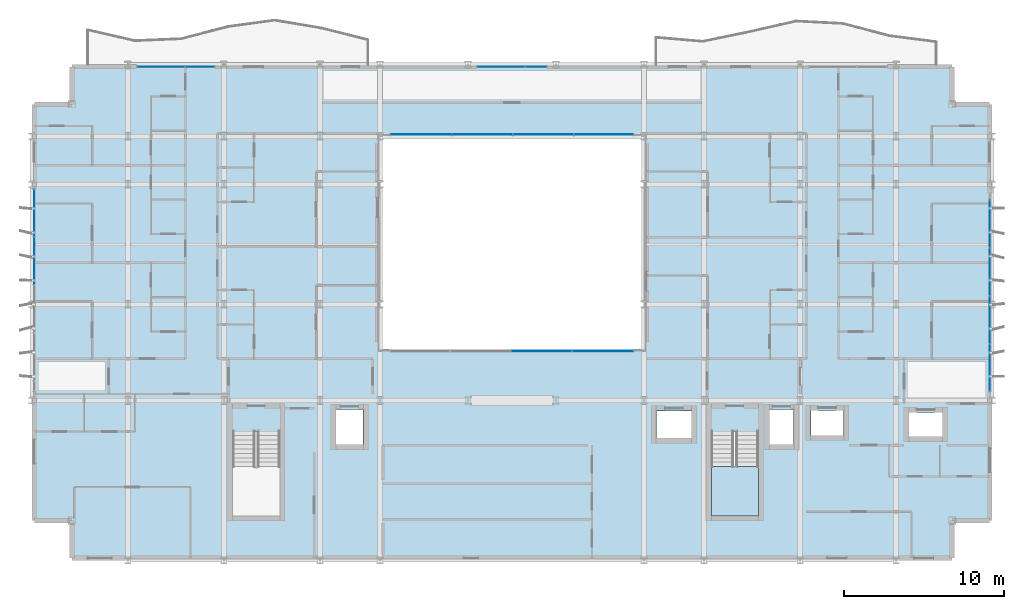
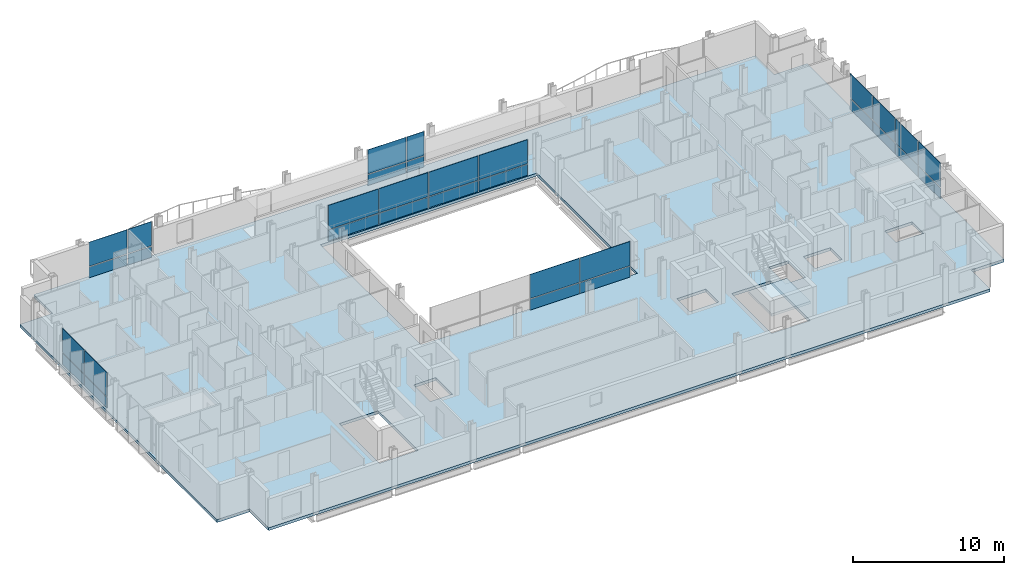
# One storey, part 23 of 39: 32 plates, 2 slabs, 7 elements without a shape of their own.
"""IFC4 building model written with IfcOpenShell, lengths in metres."""

from ifc_helpers import new_model, si_unit, direction, frame, origin, origin_2d, place, context, subcontext, project, spatial, polyline, rectangle, outline, extrude, material, layer, layer_set, type_object, element, aggregate, save


model = new_model("IFC4")

# Units and contexts
model_context = context("Model", 3, precision=1e-05, world=origin(), true_north=direction((0.0, 1.0)))
body_context = subcontext(model_context, "Body", "Model", "MODEL_VIEW")
ifc_project = project(units=[si_unit("LENGTHUNIT", "METRE"), si_unit("AREAUNIT", "SQUARE_METRE"), si_unit("VOLUMEUNIT", "CUBIC_METRE"), si_unit("PLANEANGLEUNIT", "RADIAN"), si_unit("MASSUNIT", "GRAM", prefix="KILO")], contexts=[model_context])

# Site, building, storey
site_placement = place(None, origin())
site = spatial("IfcSite", under=ifc_project, at=site_placement, CompositionType="ELEMENT")
building_placement = place(site_placement, origin())
building = spatial("IfcBuilding", under=site, at=building_placement, Name="Brevholm Reach", CompositionType="ELEMENT")
storey_placement = place(building_placement, frame((0.0, 0.0, 34.199951171875)))
storey = spatial("IfcBuildingStorey", under=building, at=storey_placement, Name="L08", CompositionType="ELEMENT", Elevation=34.199951171875)

# Curtain wall, plates
ifc_material_1 = material(Name="Dark Anodised Aluminium 6063-T6 and Solar-Control Glass", Category="aluminium")
ifc_layer_1 = layer(ifc_material_1, 0.14990234375)
ifc_layer_set_1 = layer_set([ifc_layer_1], Name="Dark Anodised Aluminium 6063-T6 and Solar-Control Glass")
curtain_wall_type_1 = type_object("IfcCurtainWallType", Name="CW-01", PredefinedType="NOTDEFINED", material=ifc_layer_set_1)
curtain_wall_1_placement = place(storey_placement, origin())
curtain_wall_1 = element("IfcCurtainWall", 1, at=curtain_wall_1_placement, inside=storey, type_object=curtain_wall_type_1, Name="L08 Curtain Wall CW-01", PredefinedType="NOTDEFINED")
ifc_material_2 = material(Name="Dark Solar-Control Double-Glazed IGU Glass", Category="glass")
ifc_layer_2 = layer(ifc_material_2, 0.028076171875)
ifc_layer_set_2 = layer_set([ifc_layer_2], Name="Dark Solar-Control Double-Glazed IGU Glass")
plate_type_1 = type_object("IfcPlateType", Name="CWP-GLZ-28", PredefinedType="CURTAIN_PANEL", material=ifc_layer_set_2)
plate_1_placement = place(storey_placement, frame((0.14990234375, 21.703857421875, 0.0), z_axis=(0.0, 0.0, 1.0), x_axis=(0.0, -1.0, 0.0)))
plate_1 = element("IfcPlate", 2, at=plate_1_placement, type_object=plate_type_1, Name="CP-01 Glazing Panel 1.1", PredefinedType="CURTAIN_PANEL", context=body_context, shape_type="SweptSolid", body=[
    extrude(rectangle(XDim=2.902587890625, YDim=0.028076171875, at=origin_2d()), origin(), (0.0, 0.0, 1.0), 0.867431640625),
])
plate_2_placement = place(storey_placement, frame((0.14990234375, 21.703857421875, 0.9326171875), z_axis=(0.0, 0.0, 1.0), x_axis=(0.0, -1.0, 0.0)))
plate_2 = element("IfcPlate", 3, at=plate_2_placement, type_object=plate_type_1, Name="CP-01 Glazing Panel 1.2", PredefinedType="CURTAIN_PANEL", context=body_context, shape_type="SweptSolid", body=[
    extrude(rectangle(XDim=2.902587890625, YDim=0.028076171875, at=origin_2d()), origin(), (0.0, 0.0, 1.0), 1.9375),
])
plate_3_placement = place(storey_placement, frame((0.14990234375, 18.719970703125, 0.0), z_axis=(0.0, 0.0, 1.0), x_axis=(0.0, -1.0, 0.0)))
plate_3 = element("IfcPlate", 4, at=plate_3_placement, type_object=plate_type_1, Name="CP-01 Glazing Panel 2.1", PredefinedType="CURTAIN_PANEL", context=body_context, shape_type="SweptSolid", body=[
    extrude(rectangle(XDim=2.93505859375, YDim=0.028076171875, at=origin_2d()), origin(), (0.0, 0.0, 1.0), 0.867431640625),
])
plate_4_placement = place(storey_placement, frame((0.14990234375, 18.719970703125, 0.9326171875), z_axis=(0.0, 0.0, 1.0), x_axis=(0.0, -1.0, 0.0)))
plate_4 = element("IfcPlate", 5, at=plate_4_placement, type_object=plate_type_1, Name="CP-01 Glazing Panel 2.2", PredefinedType="CURTAIN_PANEL", context=body_context, shape_type="SweptSolid", body=[
    extrude(rectangle(XDim=2.93505859375, YDim=0.028076171875, at=origin_2d()), origin(), (0.0, 0.0, 1.0), 1.9375),
])
aggregate(curtain_wall_1, [plate_1, plate_2, plate_3, plate_4])

curtain_wall_2_placement = place(storey_placement, origin())
curtain_wall_2 = element("IfcCurtainWall", 6, at=curtain_wall_2_placement, inside=storey, type_object=curtain_wall_type_1, Name="L08 Curtain Wall CW-01", PredefinedType="NOTDEFINED")
plate_5_placement = place(storey_placement, frame((59.85009765625, 12.066162109375, 0.0), z_axis=(0.0, 0.0, 1.0), x_axis=(0.0, 1.0, 0.0)))
plate_5 = element("IfcPlate", 7, at=plate_5_placement, type_object=plate_type_1, Name="CP-01 Glazing Panel 1.1", PredefinedType="CURTAIN_PANEL", context=body_context, shape_type="SweptSolid", body=[
    extrude(rectangle(XDim=2.902587890625, YDim=0.028076171875, at=origin_2d()), origin(), (0.0, 0.0, 1.0), 0.867431640625),
])
plate_6_placement = place(storey_placement, frame((59.85009765625, 12.066162109375, 0.9326171875), z_axis=(0.0, 0.0, 1.0), x_axis=(0.0, 1.0, 0.0)))
plate_6 = element("IfcPlate", 8, at=plate_6_placement, type_object=plate_type_1, Name="CP-01 Glazing Panel 1.2", PredefinedType="CURTAIN_PANEL", context=body_context, shape_type="SweptSolid", body=[
    extrude(rectangle(XDim=2.902587890625, YDim=0.028076171875, at=origin_2d()), origin(), (0.0, 0.0, 1.0), 1.9375),
])
plate_7_placement = place(storey_placement, frame((59.85009765625, 15.050048828125, 0.0), z_axis=(0.0, 0.0, 1.0), x_axis=(0.0, 1.0, 0.0)))
plate_7 = element("IfcPlate", 9, at=plate_7_placement, type_object=plate_type_1, Name="CP-01 Glazing Panel 2.1", PredefinedType="CURTAIN_PANEL", context=body_context, shape_type="SweptSolid", body=[
    extrude(rectangle(XDim=2.93505859375, YDim=0.028076171875, at=origin_2d()), origin(), (0.0, 0.0, 1.0), 0.867431640625),
])
plate_8_placement = place(storey_placement, frame((59.85009765625, 15.050048828125, 0.9326171875), z_axis=(0.0, 0.0, 1.0), x_axis=(0.0, 1.0, 0.0)))
plate_8 = element("IfcPlate", 10, at=plate_8_placement, type_object=plate_type_1, Name="CP-01 Glazing Panel 2.2", PredefinedType="CURTAIN_PANEL", context=body_context, shape_type="SweptSolid", body=[
    extrude(rectangle(XDim=2.93505859375, YDim=0.028076171875, at=origin_2d()), origin(), (0.0, 0.0, 1.0), 1.9375),
])
plate_9_placement = place(storey_placement, frame((59.85009765625, 18.050048828125, 0.0), z_axis=(0.0, 0.0, 1.0), x_axis=(0.0, 1.0, 0.0)))
plate_9 = element("IfcPlate", 11, at=plate_9_placement, type_object=plate_type_1, Name="CP-01 Glazing Panel 3.1", PredefinedType="CURTAIN_PANEL", context=body_context, shape_type="SweptSolid", body=[
    extrude(rectangle(XDim=2.93505859375, YDim=0.028076171875, at=origin_2d()), origin(), (0.0, 0.0, 1.0), 0.867431640625),
])
plate_10_placement = place(storey_placement, frame((59.85009765625, 18.050048828125, 0.9326171875), z_axis=(0.0, 0.0, 1.0), x_axis=(0.0, 1.0, 0.0)))
plate_10 = element("IfcPlate", 12, at=plate_10_placement, type_object=plate_type_1, Name="CP-01 Glazing Panel 3.2", PredefinedType="CURTAIN_PANEL", context=body_context, shape_type="SweptSolid", body=[
    extrude(rectangle(XDim=2.93505859375, YDim=0.028076171875, at=origin_2d()), origin(), (0.0, 0.0, 1.0), 1.9375),
])
plate_11_placement = place(storey_placement, frame((59.85009765625, 21.050048828125, 0.0), z_axis=(0.0, 0.0, 1.0), x_axis=(0.0, 1.0, 0.0)))
plate_11 = element("IfcPlate", 13, at=plate_11_placement, type_object=plate_type_1, Name="CP-01 Glazing Panel 4.1", PredefinedType="CURTAIN_PANEL", context=body_context, shape_type="SweptSolid", body=[
    extrude(rectangle(XDim=2.93505859375, YDim=0.028076171875, at=origin_2d()), origin(), (0.0, 0.0, 1.0), 0.867431640625),
])
plate_12_placement = place(storey_placement, frame((59.85009765625, 21.050048828125, 0.9326171875), z_axis=(0.0, 0.0, 1.0), x_axis=(0.0, 1.0, 0.0)))
plate_12 = element("IfcPlate", 14, at=plate_12_placement, type_object=plate_type_1, Name="CP-01 Glazing Panel 4.2", PredefinedType="CURTAIN_PANEL", context=body_context, shape_type="SweptSolid", body=[
    extrude(rectangle(XDim=2.93505859375, YDim=0.028076171875, at=origin_2d()), origin(), (0.0, 0.0, 1.0), 1.9375),
])
aggregate(curtain_wall_2, [plate_5, plate_6, plate_7, plate_8, plate_9, plate_10, plate_11, plate_12])

curtain_wall_3_placement = place(storey_placement, origin())
curtain_wall_3 = element("IfcCurtainWall", 15, at=curtain_wall_3_placement, inside=storey, type_object=curtain_wall_type_1, Name="L08 Curtain Wall CW-01", PredefinedType="NOTDEFINED")
plate_13_placement = place(storey_placement, frame((8.066162109375, 30.85009765625, 0.0), z_axis=(0.0, 0.0, 1.0), x_axis=(1.0, 0.0, 0.0)))
plate_13 = element("IfcPlate", 16, at=plate_13_placement, type_object=plate_type_1, Name="CP-01 Glazing Panel 1.1", PredefinedType="CURTAIN_PANEL", context=body_context, shape_type="SweptSolid", body=[
    extrude(rectangle(XDim=2.902587890625, YDim=0.028076171875, at=origin_2d()), origin(), (0.0, 0.0, 1.0), 0.867431640625),
])
plate_14_placement = place(storey_placement, frame((8.066162109375, 30.85009765625, 0.9326171875), z_axis=(0.0, 0.0, 1.0), x_axis=(1.0, 0.0, 0.0)))
plate_14 = element("IfcPlate", 17, at=plate_14_placement, type_object=plate_type_1, Name="CP-01 Glazing Panel 1.2", PredefinedType="CURTAIN_PANEL", context=body_context, shape_type="SweptSolid", body=[
    extrude(rectangle(XDim=2.902587890625, YDim=0.028076171875, at=origin_2d()), origin(), (0.0, 0.0, 1.0), 1.9375),
])
plate_15_placement = place(storey_placement, frame((10.483642578125, 30.85009765625, 0.0), z_axis=(0.0, 0.0, 1.0), x_axis=(1.0, 0.0, 0.0)))
plate_15 = element("IfcPlate", 18, at=plate_15_placement, type_object=plate_type_1, Name="CP-01 Glazing Panel 2.1", PredefinedType="CURTAIN_PANEL", context=body_context, shape_type="SweptSolid", body=[
    extrude(rectangle(XDim=1.802490234375, YDim=0.028076171875, at=origin_2d()), origin(), (0.0, 0.0, 1.0), 0.867431640625),
])
plate_16_placement = place(storey_placement, frame((10.483642578125, 30.85009765625, 0.9326171875), z_axis=(0.0, 0.0, 1.0), x_axis=(1.0, 0.0, 0.0)))
plate_16 = element("IfcPlate", 19, at=plate_16_placement, type_object=plate_type_1, Name="CP-01 Glazing Panel 2.2", PredefinedType="CURTAIN_PANEL", context=body_context, shape_type="SweptSolid", body=[
    extrude(rectangle(XDim=1.802490234375, YDim=0.028076171875, at=origin_2d()), origin(), (0.0, 0.0, 1.0), 1.9375),
])
aggregate(curtain_wall_3, [plate_13, plate_14, plate_15, plate_16])

curtain_wall_4_placement = place(storey_placement, origin())
curtain_wall_4 = element("IfcCurtainWall", 20, at=curtain_wall_4_placement, inside=storey, type_object=curtain_wall_type_1, Name="L08 Curtain Wall CW-01", PredefinedType="NOTDEFINED")
plate_17_placement = place(storey_placement, frame((29.316162109375, 30.85009765625, 0.0), z_axis=(0.0, 0.0, 1.0), x_axis=(1.0, 0.0, 0.0)))
plate_17 = element("IfcPlate", 21, at=plate_17_placement, type_object=plate_type_1, Name="CP-01 Glazing Panel 1.1", PredefinedType="CURTAIN_PANEL", context=body_context, shape_type="SweptSolid", body=[
    extrude(rectangle(XDim=2.902587890625, YDim=0.028076171875, at=origin_2d()), origin(), (0.0, 0.0, 1.0), 0.867431640625),
])
plate_18_placement = place(storey_placement, frame((29.316162109375, 30.85009765625, 0.9326171875), z_axis=(0.0, 0.0, 1.0), x_axis=(1.0, 0.0, 0.0)))
plate_18 = element("IfcPlate", 22, at=plate_18_placement, type_object=plate_type_1, Name="CP-01 Glazing Panel 1.2", PredefinedType="CURTAIN_PANEL", context=body_context, shape_type="SweptSolid", body=[
    extrude(rectangle(XDim=2.902587890625, YDim=0.028076171875, at=origin_2d()), origin(), (0.0, 0.0, 1.0), 1.9375),
])
plate_19_placement = place(storey_placement, frame((31.483642578125, 30.85009765625, 0.0), z_axis=(0.0, 0.0, 1.0), x_axis=(1.0, 0.0, 0.0)))
plate_19 = element("IfcPlate", 23, at=plate_19_placement, type_object=plate_type_1, Name="CP-01 Glazing Panel 2.1", PredefinedType="CURTAIN_PANEL", context=body_context, shape_type="SweptSolid", body=[
    extrude(rectangle(XDim=1.302490234375, YDim=0.028076171875, at=origin_2d()), origin(), (0.0, 0.0, 1.0), 0.867431640625),
])
plate_20_placement = place(storey_placement, frame((31.483642578125, 30.85009765625, 0.9326171875), z_axis=(0.0, 0.0, 1.0), x_axis=(1.0, 0.0, 0.0)))
plate_20 = element("IfcPlate", 24, at=plate_20_placement, type_object=plate_type_1, Name="CP-01 Glazing Panel 2.2", PredefinedType="CURTAIN_PANEL", context=body_context, shape_type="SweptSolid", body=[
    extrude(rectangle(XDim=1.302490234375, YDim=0.028076171875, at=origin_2d()), origin(), (0.0, 0.0, 1.0), 1.9375),
])
aggregate(curtain_wall_4, [plate_17, plate_18, plate_19, plate_20])

ifc_material_3 = material(Name="Dark Anodised Aluminium 6063-T6 and Solar-Control Glass", Category="aluminium")
ifc_layer_3 = layer(ifc_material_3, 0.139892578125)
ifc_layer_set_3 = layer_set([ifc_layer_3], Name="Dark Anodised Aluminium 6063-T6 and Solar-Control Glass")
curtain_wall_type_2 = type_object("IfcCurtainWallType", Name="CW-02", PredefinedType="NOTDEFINED", material=ifc_layer_set_3)
curtain_wall_5_placement = place(storey_placement, origin())
curtain_wall_5 = element("IfcCurtainWall", 25, at=curtain_wall_5_placement, inside=storey, type_object=curtain_wall_type_2, Name="L08 Curtain Wall CW-02", PredefinedType="NOTDEFINED")
ifc_material_4 = material(Name="Low-Iron Laminated Acoustic Glass", Category="glass")
ifc_layer_4 = layer(ifc_material_4, 0.035888671875)
ifc_layer_set_4 = layer_set([ifc_layer_4], Name="Low-Iron Laminated Acoustic Glass")
plate_type_2 = type_object("IfcPlateType", Name="CWP-GLZ-36", PredefinedType="CURTAIN_PANEL", material=ifc_layer_set_4)
plate_21_placement = place(storey_placement, frame((31.85009765625, 13.080078125, 0.0), z_axis=(0.0, 0.0, 1.0), x_axis=(1.0, 0.0, 0.0)))
plate_21 = element("IfcPlate", 26, at=plate_21_placement, type_object=plate_type_2, Name="CP-02 Glazing Panel 3.1", PredefinedType="CURTAIN_PANEL", context=body_context, shape_type="SweptSolid", body=[
    extrude(rectangle(XDim=3.739990234375, YDim=0.035888671875, at=origin_2d()), origin(), (0.0, 0.0, 1.0), 0.8701171875),
])
plate_22_placement = place(storey_placement, frame((31.85009765625, 13.080078125, 0.93017578125), z_axis=(0.0, 0.0, 1.0), x_axis=(1.0, 0.0, 0.0)))
plate_22 = element("IfcPlate", 27, at=plate_22_placement, type_object=plate_type_2, Name="CP-02 Glazing Panel 3.2", PredefinedType="CURTAIN_PANEL", context=body_context, shape_type="SweptSolid", body=[
    extrude(rectangle(XDim=3.739990234375, YDim=0.035888671875, at=origin_2d()), origin(), (0.0, 0.0, 1.0), 1.93994140625),
])
plate_23_placement = place(storey_placement, frame((35.68505859375, 13.080078125, 0.0), z_axis=(0.0, 0.0, 1.0), x_axis=(1.0, 0.0, 0.0)))
plate_23 = element("IfcPlate", 28, at=plate_23_placement, type_object=plate_type_2, Name="CP-02 Glazing Panel 4.1", PredefinedType="CURTAIN_PANEL", context=body_context, shape_type="SweptSolid", body=[
    extrude(rectangle(XDim=3.81005859375, YDim=0.035888671875, at=origin_2d()), origin(), (0.0, 0.0, 1.0), 0.8701171875),
])
plate_24_placement = place(storey_placement, frame((35.68505859375, 13.080078125, 0.93017578125), z_axis=(0.0, 0.0, 1.0), x_axis=(1.0, 0.0, 0.0)))
plate_24 = element("IfcPlate", 29, at=plate_24_placement, type_object=plate_type_2, Name="CP-02 Glazing Panel 4.2", PredefinedType="CURTAIN_PANEL", context=body_context, shape_type="SweptSolid", body=[
    extrude(rectangle(XDim=3.81005859375, YDim=0.035888671875, at=origin_2d()), origin(), (0.0, 0.0, 1.0), 1.93994140625),
])
aggregate(curtain_wall_5, [plate_21, plate_22, plate_23, plate_24])

curtain_wall_6_placement = place(storey_placement, origin())
curtain_wall_6 = element("IfcCurtainWall", 30, at=curtain_wall_6_placement, inside=storey, type_object=curtain_wall_type_2, Name="L08 Curtain Wall CW-02", PredefinedType="NOTDEFINED")
plate_25_placement = place(storey_placement, frame((35.735107421875, 26.6201171875, 0.0), z_axis=(0.0, 0.0, 1.0), x_axis=(-1.0, 0.0, 0.0)))
plate_25 = element("IfcPlate", 31, at=plate_25_placement, type_object=plate_type_2, Name="CP-02 Glazing Panel 1.1", PredefinedType="CURTAIN_PANEL", context=body_context, shape_type="SweptSolid", body=[
    extrude(rectangle(XDim=3.7099609375, YDim=0.035888671875, at=origin_2d()), origin(), (0.0, 0.0, 1.0), 0.8701171875),
])
plate_26_placement = place(storey_placement, frame((35.735107421875, 26.6201171875, 0.93017578125), z_axis=(0.0, 0.0, 1.0), x_axis=(-1.0, 0.0, 0.0)))
plate_26 = element("IfcPlate", 32, at=plate_26_placement, type_object=plate_type_2, Name="CP-02 Glazing Panel 1.2", PredefinedType="CURTAIN_PANEL", context=body_context, shape_type="SweptSolid", body=[
    extrude(rectangle(XDim=3.7099609375, YDim=0.035888671875, at=origin_2d()), origin(), (0.0, 0.0, 1.0), 1.93994140625),
])
plate_27_placement = place(storey_placement, frame((31.949951171875, 26.6201171875, 0.0), z_axis=(0.0, 0.0, 1.0), x_axis=(-1.0, 0.0, 0.0)))
plate_27 = element("IfcPlate", 33, at=plate_27_placement, type_object=plate_type_2, Name="CP-02 Glazing Panel 2.1", PredefinedType="CURTAIN_PANEL", context=body_context, shape_type="SweptSolid", body=[
    extrude(rectangle(XDim=3.739990234375, YDim=0.035888671875, at=origin_2d()), origin(), (0.0, 0.0, 1.0), 0.8701171875),
])
plate_28_placement = place(storey_placement, frame((31.949951171875, 26.6201171875, 0.93017578125), z_axis=(0.0, 0.0, 1.0), x_axis=(-1.0, 0.0, 0.0)))
plate_28 = element("IfcPlate", 34, at=plate_28_placement, type_object=plate_type_2, Name="CP-02 Glazing Panel 2.2", PredefinedType="CURTAIN_PANEL", context=body_context, shape_type="SweptSolid", body=[
    extrude(rectangle(XDim=3.739990234375, YDim=0.035888671875, at=origin_2d()), origin(), (0.0, 0.0, 1.0), 1.93994140625),
])
plate_29_placement = place(storey_placement, frame((28.14990234375, 26.6201171875, 0.0), z_axis=(0.0, 0.0, 1.0), x_axis=(-1.0, 0.0, 0.0)))
plate_29 = element("IfcPlate", 35, at=plate_29_placement, type_object=plate_type_2, Name="CP-02 Glazing Panel 3.1", PredefinedType="CURTAIN_PANEL", context=body_context, shape_type="SweptSolid", body=[
    extrude(rectangle(XDim=3.739990234375, YDim=0.035888671875, at=origin_2d()), origin(), (0.0, 0.0, 1.0), 0.8701171875),
])
plate_30_placement = place(storey_placement, frame((28.14990234375, 26.6201171875, 0.93017578125), z_axis=(0.0, 0.0, 1.0), x_axis=(-1.0, 0.0, 0.0)))
plate_30 = element("IfcPlate", 36, at=plate_30_placement, type_object=plate_type_2, Name="CP-02 Glazing Panel 3.2", PredefinedType="CURTAIN_PANEL", context=body_context, shape_type="SweptSolid", body=[
    extrude(rectangle(XDim=3.739990234375, YDim=0.035888671875, at=origin_2d()), origin(), (0.0, 0.0, 1.0), 1.93994140625),
])
plate_31_placement = place(storey_placement, frame((24.31494140625, 26.6201171875, 0.0), z_axis=(0.0, 0.0, 1.0), x_axis=(-1.0, 0.0, 0.0)))
plate_31 = element("IfcPlate", 37, at=plate_31_placement, type_object=plate_type_2, Name="CP-02 Glazing Panel 4.1", PredefinedType="CURTAIN_PANEL", context=body_context, shape_type="SweptSolid", body=[
    extrude(rectangle(XDim=3.81005859375, YDim=0.035888671875, at=origin_2d()), origin(), (0.0, 0.0, 1.0), 0.8701171875),
])
plate_32_placement = place(storey_placement, frame((24.31494140625, 26.6201171875, 0.93017578125), z_axis=(0.0, 0.0, 1.0), x_axis=(-1.0, 0.0, 0.0)))
plate_32 = element("IfcPlate", 38, at=plate_32_placement, type_object=plate_type_2, Name="CP-02 Glazing Panel 4.2", PredefinedType="CURTAIN_PANEL", context=body_context, shape_type="SweptSolid", body=[
    extrude(rectangle(XDim=3.81005859375, YDim=0.035888671875, at=origin_2d()), origin(), (0.0, 0.0, 1.0), 1.93994140625),
])
aggregate(curtain_wall_6, [plate_25, plate_26, plate_27, plate_28, plate_29, plate_30, plate_31, plate_32])

# Slab
ifc_material_5 = material(Name="Concrete C40/50", Category="concrete")
ifc_layer_5 = layer(ifc_material_5, 0.22998046875)
ifc_layer_set_5 = layer_set([ifc_layer_5], Name="Concrete C40/50")
slab_type_1 = type_object("IfcSlabType", Name="SLB-FL-230", PredefinedType="FLOOR", material=ifc_layer_set_5)
slab_1_placement = place(storey_placement, frame((0.0, 0.0, -0.22998046875)))
element("IfcSlab", 39, at=slab_1_placement, inside=storey, type_object=slab_type_1, Name="L08 Suspended Floor Slab (main)", PredefinedType="FLOOR", context=body_context, shape_type="SweptSolid", body=[
    extrude(outline(polyline([(2.5, 0.0), (57.5, 0.0), (57.5, 2.5), (60.0, 2.5), (60.0, 28.5), (57.5, 28.5), (57.5, 31.0), (2.5, 31.0), (2.5, 28.5), (0.0, 28.5), (0.0, 2.5), (2.5, 2.5), (2.5, 0.0)]), holes=[polyline([(21.75, 13.199951171875), (38.25, 13.199951171875), (38.25, 26.5), (21.75, 26.5), (21.75, 13.199951171875)]), polyline([(12.550048828125, 2.780029296875), (15.5, 2.780029296875), (15.5, 8.044921875), (12.550048828125, 8.044921875), (12.550048828125, 2.780029296875)]), polyline([(42.449951171875, 2.780029296875), (45.39990234375, 2.780029296875), (45.39990234375, 8.044921875), (42.449951171875, 8.044921875), (42.449951171875, 2.780029296875)]), polyline([(19.0, 7.25), (20.699951171875, 7.25), (20.699951171875, 9.449951171875), (19.0, 9.449951171875), (19.0, 7.25)]), polyline([(46.10009765625, 7.25), (47.60009765625, 7.25), (47.60009765625, 9.449951171875), (46.10009765625, 9.449951171875), (46.10009765625, 7.25)]), polyline([(48.675048828125, 7.824951171875), (50.72509765625, 7.824951171875), (50.72509765625, 9.375), (48.675048828125, 9.375), (48.675048828125, 7.824951171875)]), polyline([(54.800048828125, 7.75), (56.89990234375, 7.75), (56.89990234375, 9.25), (54.800048828125, 9.25), (54.800048828125, 7.75)]), polyline([(39.02001953125, 7.64990234375), (41.219970703125, 7.64990234375), (41.219970703125, 9.35009765625), (39.02001953125, 9.35009765625), (39.02001953125, 7.64990234375)])]), origin(), (0.0, 0.0, 1.0), 0.22998046875),
])

# Stair, slab
ifc_material_6 = material(Name="Precast Concrete C40/50", Category="concrete")
stair_type = type_object("IfcStairType", Name="STR-ESC-1400", PredefinedType="DOUBLE_RETURN_STAIR", material=ifc_material_6)
stair_placement = place(storey_placement, origin())
stair = element("IfcStair", 40, at=stair_placement, inside=storey, type_object=stair_type, Name="L08 ST-2", PredefinedType="DOUBLE_RETURN_STAIR")
ifc_material_7 = material(Name="Concrete C40/50", Category="concrete")
ifc_layer_6 = layer(ifc_material_7, 0.199951171875)
ifc_layer_set_6 = layer_set([ifc_layer_6], Name="Concrete C40/50")
slab_type_2 = type_object("IfcSlabType", Name="SLB-LND-200", PredefinedType="LANDING", material=ifc_layer_set_6)
slab_2_placement = place(storey_placement, frame((0.0, 0.0, 1.35009765625)))
slab_2 = element("IfcSlab", 41, at=slab_2_placement, type_object=slab_type_2, Name="ST-2 landing 1", PredefinedType="LANDING", context=body_context, shape_type="SweptSolid", body=[
    extrude(outline(polyline([(42.449951171875, 5.860107421875), (42.449951171875, 2.780029296875), (45.39990234375, 2.780029296875), (45.39990234375, 5.860107421875), (42.449951171875, 5.860107421875)])), origin(), (0.0, 0.0, 1.0), 0.199951171875),
])
aggregate(stair, [slab_2])

save(model, "model.ifc")
